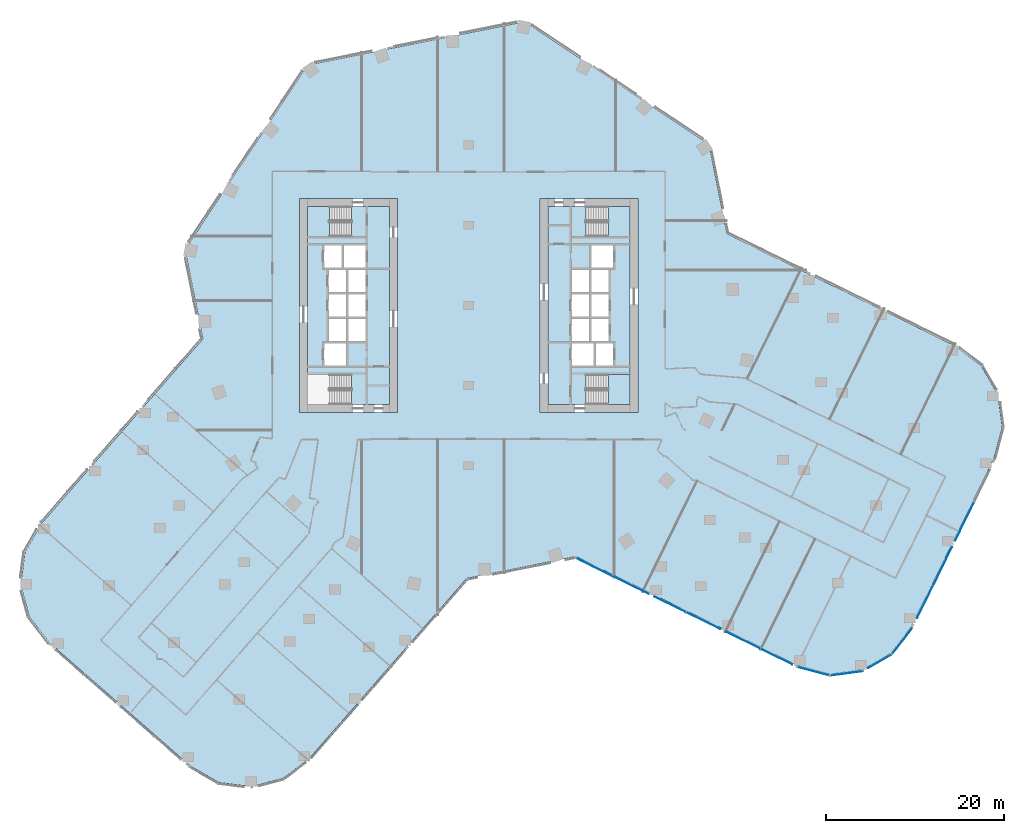
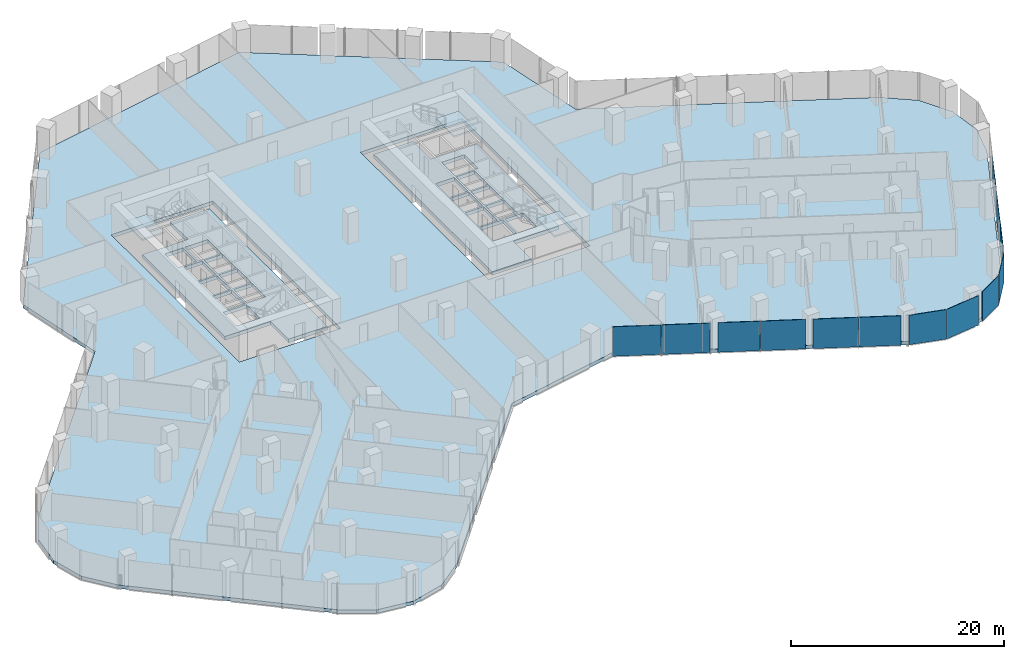
# One storey, part 21 of 38: 13 plates, 6 slabs, 9 elements without a shape of their own.
"""IFC4 building model written with IfcOpenShell, lengths in metres."""

from ifc_helpers import new_model, si_unit, direction, frame, origin, origin_2d, place, context, subcontext, project, spatial, polyline, rectangle, outline, extrude, material, layer, layer_set, type_object, element, aggregate, save


model = new_model("IFC4")

# Units and contexts
model_context = context("Model", 3, precision=1e-05, world=origin(), true_north=direction((0.0, 1.0)))
body_context = subcontext(model_context, "Body", "Model", "MODEL_VIEW")
ifc_project = project(units=[si_unit("LENGTHUNIT", "METRE"), si_unit("AREAUNIT", "SQUARE_METRE"), si_unit("VOLUMEUNIT", "CUBIC_METRE"), si_unit("PLANEANGLEUNIT", "RADIAN"), si_unit("MASSUNIT", "GRAM", prefix="KILO")], contexts=[model_context])

# Site, building, storey
site_placement = place(None, origin())
site = spatial("IfcSite", under=ifc_project, at=site_placement, CompositionType="ELEMENT")
building_placement = place(site_placement, origin())
building = spatial("IfcBuilding", under=site, at=building_placement, Name="Orlundy Tower", CompositionType="ELEMENT")
storey_placement = place(building_placement, frame((0.0, 0.0, 62.300048828125)))
storey = spatial("IfcBuildingStorey", under=building, at=storey_placement, Name="L14", CompositionType="ELEMENT", Elevation=62.300048828125)

# Curtain wall, plates
ifc_material_1 = material(Name="Aluminium bronze anodised", Category="aluminium")
curtain_wall_type = type_object("IfcCurtainWallType", Name="CW1 wall", PredefinedType="NOTDEFINED", material=ifc_material_1)
curtain_wall_1_placement = place(storey_placement, origin())
curtain_wall_1 = element("IfcCurtainWall", 1, at=curtain_wall_1_placement, inside=storey, type_object=curtain_wall_type, Name="CW1 run 00", PredefinedType="NOTDEFINED")
ifc_material_2 = material(Name="Tinted glass", Category="glass")
ifc_layer_1 = layer(ifc_material_2, 0.031982421875)
ifc_layer_set_1 = layer_set([ifc_layer_1], Name="CW1 glass panel 32")
plate_type = type_object("IfcPlateType", Name="CW1 glass panel 32", PredefinedType="CURTAIN_PANEL", material=ifc_layer_set_1)
plate_1_placement = place(storey_placement, frame((34.528076171875, -39.4306640625, -0.280029296875), z_axis=(0.0, 0.0, 1.0), x_axis=(-0.897522339484, 0.440968989984, 0.0)))
plate_1 = element("IfcPlate", 2, at=plate_1_placement, type_object=plate_type, Name="CW1 panel", PredefinedType="CURTAIN_PANEL", context=body_context, shape_type="SweptSolid", body=[
    extrude(rectangle(XDim=3.966552734375, YDim=0.031982421875, at=origin_2d()), origin(), (0.0, 0.0, 1.0), 3.3798828125),
])
plate_2_placement = place(storey_placement, frame((30.803955078125, -37.60107421875, -0.280029296875), z_axis=(0.0, 0.0, 1.0), x_axis=(-0.897522339484, 0.440968989984, 0.0)))
plate_2 = element("IfcPlate", 3, at=plate_2_placement, type_object=plate_type, Name="CW1 panel", PredefinedType="CURTAIN_PANEL", context=body_context, shape_type="SweptSolid", body=[
    extrude(rectangle(XDim=4.23193359375, YDim=0.031982421875, at=origin_2d()), origin(), (0.0, 0.0, 1.0), 3.3798828125),
])
plate_3_placement = place(storey_placement, frame((26.348388671875, -35.411865234375, -0.280029296875), z_axis=(0.0, 0.0, 1.0), x_axis=(-0.897522339484, 0.440968989984, 0.0)))
plate_3 = element("IfcPlate", 4, at=plate_3_placement, type_object=plate_type, Name="CW1 panel", PredefinedType="CURTAIN_PANEL", context=body_context, shape_type="SweptSolid", body=[
    extrude(rectangle(XDim=4.26220703125, YDim=0.031982421875, at=origin_2d()), origin(), (0.0, 0.0, 1.0), 3.3798828125),
])
plate_4_placement = place(storey_placement, frame((22.623779296875, -33.58203125, -0.280029296875), z_axis=(0.0, 0.0, 1.0), x_axis=(-0.897522339484, 0.440968989984, 0.0)))
plate_4 = element("IfcPlate", 5, at=plate_4_placement, type_object=plate_type, Name="CW1 panel", PredefinedType="CURTAIN_PANEL", context=body_context, shape_type="SweptSolid", body=[
    extrude(rectangle(XDim=3.937255859375, YDim=0.031982421875, at=origin_2d()), origin(), (0.0, 0.0, 1.0), 3.3798828125),
])
plate_5_placement = place(storey_placement, frame((18.168212890625, -31.392822265625, -0.280029296875), z_axis=(0.0, 0.0, 1.0), x_axis=(-0.897522339484, 0.440968989984, 0.0)))
plate_5 = element("IfcPlate", 6, at=plate_5_placement, type_object=plate_type, Name="CW1 panel", PredefinedType="CURTAIN_PANEL", context=body_context, shape_type="SweptSolid", body=[
    extrude(rectangle(XDim=4.556640625, YDim=0.031982421875, at=origin_2d()), origin(), (0.0, 0.0, 1.0), 3.3798828125),
])
plate_6_placement = place(storey_placement, frame((14.03662109375, -29.363037109375, -0.280029296875), z_axis=(0.0, 0.0, 1.0), x_axis=(-0.897522339484, 0.440968989984, 0.0)))
plate_6 = element("IfcPlate", 7, at=plate_6_placement, type_object=plate_type, Name="CW1 panel", PredefinedType="CURTAIN_PANEL", context=body_context, shape_type="SweptSolid", body=[
    extrude(rectangle(XDim=4.550048828125, YDim=0.031982421875, at=origin_2d()), origin(), (0.0, 0.0, 1.0), 3.3798828125),
])
aggregate(curtain_wall_1, [plate_1, plate_2, plate_3, plate_4, plate_5, plate_6])

curtain_wall_2_placement = place(storey_placement, origin())
curtain_wall_2 = element("IfcCurtainWall", 8, at=curtain_wall_2_placement, inside=storey, type_object=curtain_wall_type, Name="CW1 run 023", PredefinedType="NOTDEFINED")
plate_7_placement = place(storey_placement, frame((55.680908203125, -24.239990234375, -0.280029296875), z_axis=(0.0, 0.0, 1.0), x_axis=(-0.441012235503, -0.897501090883, 0.0)))
plate_7 = element("IfcPlate", 9, at=plate_7_placement, type_object=plate_type, Name="CW1 panel", PredefinedType="CURTAIN_PANEL", context=body_context, shape_type="SweptSolid", body=[
    extrude(rectangle(XDim=4.852294921875, YDim=0.031982421875, at=origin_2d()), origin(), (0.0, 0.0, 1.0), 3.3798828125),
])
plate_8_placement = place(storey_placement, frame((53.193115234375, -29.302978515625, -0.280029296875), z_axis=(0.0, 0.0, 1.0), x_axis=(-0.441012235503, -0.897501090883, 0.0)))
plate_8 = element("IfcPlate", 10, at=plate_8_placement, type_object=plate_type, Name="CW1 panel", PredefinedType="CURTAIN_PANEL", context=body_context, shape_type="SweptSolid", body=[
    extrude(rectangle(XDim=4.764404296875, YDim=0.031982421875, at=origin_2d()), origin(), (0.0, 0.0, 1.0), 3.3798828125),
])
plate_9_placement = place(storey_placement, frame((51.227294921875, -33.3037109375, -0.280029296875), z_axis=(0.0, 0.0, 1.0), x_axis=(-0.441012235503, -0.897501090883, 0.0)))
plate_9 = element("IfcPlate", 11, at=plate_9_placement, type_object=plate_type, Name="CW1 panel", PredefinedType="CURTAIN_PANEL", context=body_context, shape_type="SweptSolid", body=[
    extrude(rectangle(XDim=4.05078125, YDim=0.031982421875, at=origin_2d()), origin(), (0.0, 0.0, 1.0), 3.3798828125),
])
aggregate(curtain_wall_2, [plate_7, plate_8, plate_9])

# Curtain wall, plate
curtain_wall_3_placement = place(storey_placement, origin())
curtain_wall_3 = element("IfcCurtainWall", 12, at=curtain_wall_3_placement, inside=storey, type_object=curtain_wall_type, Name="CW1 run 024", PredefinedType="NOTDEFINED")
plate_10_placement = place(storey_placement, frame((48.66064453125, -37.691162109375, -0.280029296875), z_axis=(0.0, 0.0, 1.0), x_axis=(-0.607570269729, -0.794265929863, 0.0)))
plate_10 = element("IfcPlate", 13, at=plate_10_placement, type_object=plate_type, Name="CW1 panel", PredefinedType="CURTAIN_PANEL", context=body_context, shape_type="SweptSolid", body=[
    extrude(rectangle(XDim=3.730224609375, YDim=0.031982421875, at=origin_2d()), origin(), (0.0, 0.0, 1.0), 3.3798828125),
])
aggregate(curtain_wall_3, [plate_10])

curtain_wall_4_placement = place(storey_placement, origin())
curtain_wall_4 = element("IfcCurtainWall", 14, at=curtain_wall_4_placement, inside=storey, type_object=curtain_wall_type, Name="CW1 run 025", PredefinedType="NOTDEFINED")
plate_11_placement = place(storey_placement, frame((46.19677734375, -39.943603515625, -0.280029296875), z_axis=(0.0, 0.0, 1.0), x_axis=(-0.865272308879, -0.501302135928, 0.0)))
plate_11 = element("IfcPlate", 15, at=plate_11_placement, type_object=plate_type, Name="CW1 panel", PredefinedType="CURTAIN_PANEL", context=body_context, shape_type="SweptSolid", body=[
    extrude(rectangle(XDim=3.075927734375, YDim=0.031982421875, at=origin_2d()), origin(), (0.0, 0.0, 1.0), 3.3798828125),
])
aggregate(curtain_wall_4, [plate_11])

curtain_wall_5_placement = place(storey_placement, origin())
curtain_wall_5 = element("IfcCurtainWall", 16, at=curtain_wall_5_placement, inside=storey, type_object=curtain_wall_type, Name="CW1 run 026", PredefinedType="NOTDEFINED")
plate_12_placement = place(storey_placement, frame((42.39404296875, -41.3125, -0.280029296875), z_axis=(0.0, 0.0, 1.0), x_axis=(-0.991227900682, -0.132163720098, 0.0)))
plate_12 = element("IfcPlate", 17, at=plate_12_placement, type_object=plate_type, Name="CW1 panel", PredefinedType="CURTAIN_PANEL", context=body_context, shape_type="SweptSolid", body=[
    extrude(rectangle(XDim=3.772705078125, YDim=0.031982421875, at=origin_2d()), origin(), (0.0, 0.0, 1.0), 3.3798828125),
])
aggregate(curtain_wall_5, [plate_12])

curtain_wall_6_placement = place(storey_placement, origin())
curtain_wall_6 = element("IfcCurtainWall", 18, at=curtain_wall_6_placement, inside=storey, type_object=curtain_wall_type, Name="CW1 run 027", PredefinedType="NOTDEFINED")
plate_13_placement = place(storey_placement, frame((38.763916015625, -41.092529296875, -0.280029296875), z_axis=(0.0, 0.0, 1.0), x_axis=(-0.966230461093, 0.25767944438, 0.0)))
plate_13 = element("IfcPlate", 19, at=plate_13_placement, type_object=plate_type, Name="CW1 panel", PredefinedType="CURTAIN_PANEL", context=body_context, shape_type="SweptSolid", body=[
    extrude(rectangle(XDim=3.6435546875, YDim=0.031982421875, at=origin_2d()), origin(), (0.0, 0.0, 1.0), 3.3798828125),
])
aggregate(curtain_wall_6, [plate_13])

# Slabs
ifc_material_3 = material(Name="Concrete C50/60", Category="concrete")
ifc_layer_2 = layer(ifc_material_3, 0.409912109375)
ifc_layer_set_2 = layer_set([ifc_layer_2], Name="Core Floor Slab 410")
slab_type_1 = type_object("IfcSlabType", Name="Core Floor Slab 410", PredefinedType="FLOOR", material=ifc_layer_set_2)
slab_1_placement = place(storey_placement, frame((0.0, 0.0, -0.41015625)))
element("IfcSlab", 20, at=slab_1_placement, inside=storey, type_object=slab_type_1, Name="Core floor W13", PredefinedType="FLOOR", context=body_context, shape_type="SweptSolid", body=[
    extrude(outline(polyline([(-13.14501953125, 7.75), (-13.14501953125, 11.10009765625), (-8.89990234375, 11.10009765625), (-8.89990234375, -11.10009765625), (-13.14501953125, -11.10009765625), (-13.14501953125, -7.75), (-18.10009765625, -7.75), (-18.10009765625, 7.75), (-13.14501953125, 7.75)]), holes=[polyline([(-16.239990234375, -6.77490234375), (-13.739990234375, -6.77490234375), (-13.739990234375, -4.22509765625), (-16.239990234375, -4.22509765625), (-16.239990234375, -6.77490234375)]), polyline([(-13.5400390625, -1.47509765625), (-13.5400390625, -4.02490234375), (-11.5400390625, -4.02490234375), (-11.5400390625, -1.47509765625), (-13.5400390625, -1.47509765625)]), polyline([(-13.739990234375, -1.47509765625), (-15.739990234375, -1.47509765625), (-15.739990234375, -4.02490234375), (-13.739990234375, -4.02490234375), (-13.739990234375, -1.47509765625)]), polyline([(-11.5400390625, -1.27490234375), (-11.5400390625, 1.27490234375), (-13.5400390625, 1.27490234375), (-13.5400390625, -1.27490234375), (-11.5400390625, -1.27490234375)]), polyline([(-15.739990234375, -1.27490234375), (-13.739990234375, -1.27490234375), (-13.739990234375, 1.27490234375), (-15.739990234375, 1.27490234375), (-15.739990234375, -1.27490234375)]), polyline([(-13.5400390625, 4.02490234375), (-13.5400390625, 1.47509765625), (-11.5400390625, 1.47509765625), (-11.5400390625, 4.02490234375), (-13.5400390625, 4.02490234375)]), polyline([(-13.739990234375, 4.02490234375), (-15.739990234375, 4.02490234375), (-15.739990234375, 1.47509765625), (-13.739990234375, 1.47509765625), (-13.739990234375, 4.02490234375)]), polyline([(-11.5400390625, 4.22509765625), (-11.5400390625, 6.77490234375), (-14.0400390625, 6.77490234375), (-14.0400390625, 4.22509765625), (-11.5400390625, 4.22509765625)]), polyline([(-16.239990234375, 4.22509765625), (-14.239990234375, 4.22509765625), (-14.239990234375, 6.77490234375), (-16.239990234375, 6.77490234375), (-16.239990234375, 4.22509765625)])]), origin(), (0.0, 0.0, 1.0), 0.41015625),
])
slab_2_placement = place(storey_placement, frame((0.0, 0.0, -0.41015625)))
element("IfcSlab", 21, at=slab_2_placement, inside=storey, type_object=slab_type_1, Name="Core floor E13", PredefinedType="FLOOR", context=body_context, shape_type="SweptSolid", body=[
    extrude(outline(polyline([(13.14501953125, -7.75), (13.14501953125, -11.10009765625), (8.89990234375, -11.10009765625), (8.89990234375, 11.10009765625), (13.14501953125, 11.10009765625), (13.14501953125, 7.75), (18.10009765625, 7.75), (18.10009765625, -7.75), (13.14501953125, -7.75)]), holes=[polyline([(16.239990234375, 6.77490234375), (13.739990234375, 6.77490234375), (13.739990234375, 4.22509765625), (16.239990234375, 4.22509765625), (16.239990234375, 6.77490234375)]), polyline([(13.5400390625, 1.47509765625), (13.5400390625, 4.02490234375), (11.5400390625, 4.02490234375), (11.5400390625, 1.47509765625), (13.5400390625, 1.47509765625)]), polyline([(13.739990234375, 1.47509765625), (15.739990234375, 1.47509765625), (15.739990234375, 4.02490234375), (13.739990234375, 4.02490234375), (13.739990234375, 1.47509765625)]), polyline([(11.5400390625, 1.27490234375), (11.5400390625, -1.27490234375), (13.5400390625, -1.27490234375), (13.5400390625, 1.27490234375), (11.5400390625, 1.27490234375)]), polyline([(15.739990234375, 1.27490234375), (13.739990234375, 1.27490234375), (13.739990234375, -1.27490234375), (15.739990234375, -1.27490234375), (15.739990234375, 1.27490234375)]), polyline([(13.5400390625, -4.02490234375), (13.5400390625, -1.47509765625), (11.5400390625, -1.47509765625), (11.5400390625, -4.02490234375), (13.5400390625, -4.02490234375)]), polyline([(13.739990234375, -4.02490234375), (15.739990234375, -4.02490234375), (15.739990234375, -1.47509765625), (13.739990234375, -1.47509765625), (13.739990234375, -4.02490234375)]), polyline([(11.5400390625, -4.22509765625), (11.5400390625, -6.77490234375), (14.0400390625, -6.77490234375), (14.0400390625, -4.22509765625), (11.5400390625, -4.22509765625)]), polyline([(16.239990234375, -4.22509765625), (14.239990234375, -4.22509765625), (14.239990234375, -6.77490234375), (16.239990234375, -6.77490234375), (16.239990234375, -4.22509765625)])]), origin(), (0.0, 0.0, 1.0), 0.41015625),
])

# Stair, slab
ifc_material_4 = material(Name="Concrete C50/60", Category="concrete")
stair_type = type_object("IfcStairType", Name="Exit Stair 20 risers", PredefinedType="HALF_TURN_STAIR", material=ifc_material_4)
stair_1_placement = place(storey_placement, origin())
stair_1 = element("IfcStair", 22, at=stair_1_placement, inside=storey, type_object=stair_type, Name="L14 Exit Stair ST-W1", PredefinedType="HALF_TURN_STAIR")
ifc_material_5 = material(Name="Concrete C50/60", Category="concrete")
ifc_layer_3 = layer(ifc_material_5, 0.199951171875)
ifc_layer_set_3 = layer_set([ifc_layer_3], Name="Exit Stair Landing")
slab_type_2 = type_object("IfcSlabType", Name="Exit Stair Landing", PredefinedType="LANDING", material=ifc_layer_set_3)
slab_3_placement = place(storey_placement, frame((0.0, 0.0, 1.550048828125)))
slab_3 = element("IfcSlab", 23, at=slab_3_placement, type_object=slab_type_2, Name="ST-W1 landing 1", PredefinedType="LANDING", context=body_context, shape_type="SweptSolid", body=[
    extrude(outline(polyline([(-15.659912109375, 11.10009765625), (-18.10009765625, 11.10009765625), (-18.10009765625, 7.75), (-15.659912109375, 7.75), (-15.659912109375, 11.10009765625)])), origin(), (0.0, 0.0, 1.0), 0.199951171875),
])
aggregate(stair_1, [slab_3])

stair_2_placement = place(storey_placement, origin())
stair_2 = element("IfcStair", 24, at=stair_2_placement, inside=storey, type_object=stair_type, Name="L14 Exit Stair ST-E1", PredefinedType="HALF_TURN_STAIR")
slab_4_placement = place(storey_placement, frame((0.0, 0.0, 1.550048828125)))
slab_4 = element("IfcSlab", 25, at=slab_4_placement, type_object=slab_type_2, Name="ST-E1 landing 1", PredefinedType="LANDING", context=body_context, shape_type="SweptSolid", body=[
    extrude(outline(polyline([(15.659912109375, -11.10009765625), (18.10009765625, -11.10009765625), (18.10009765625, -7.75), (15.659912109375, -7.75), (15.659912109375, -11.10009765625)])), origin(), (0.0, 0.0, 1.0), 0.199951171875),
])
aggregate(stair_2, [slab_4])

stair_3_placement = place(storey_placement, origin())
stair_3 = element("IfcStair", 26, at=stair_3_placement, inside=storey, type_object=stair_type, Name="L14 Exit Stair ST-E2", PredefinedType="HALF_TURN_STAIR")
slab_5_placement = place(storey_placement, frame((0.0, 0.0, 1.550048828125)))
slab_5 = element("IfcSlab", 27, at=slab_5_placement, type_object=slab_type_2, Name="ST-E2 landing 1", PredefinedType="LANDING", context=body_context, shape_type="SweptSolid", body=[
    extrude(outline(polyline([(15.659912109375, 7.75), (18.10009765625, 7.75), (18.10009765625, 11.10009765625), (15.659912109375, 11.10009765625), (15.659912109375, 7.75)])), origin(), (0.0, 0.0, 1.0), 0.199951171875),
])
aggregate(stair_3, [slab_5])

# Slab
ifc_material_6 = material(Name="Concrete C45/55", Category="concrete")
ifc_layer_4 = layer(ifc_material_6, 0.39990234375)
ifc_layer_set_4 = layer_set([ifc_layer_4], Name="FLOOR SLAB THICK 400 C45/55")
slab_type_3 = type_object("IfcSlabType", Name="FLOOR SLAB THICK 400 C45/55", PredefinedType="FLOOR", material=ifc_layer_set_4)
slab_6_placement = place(storey_placement, frame((0.0, 0.0, -0.400146484375)))
element("IfcSlab", 28, at=slab_6_placement, inside=storey, type_object=slab_type_3, Name="Floor slab L14", PredefinedType="FLOOR", context=body_context, shape_type="SweptSolid", body=[
    extrude(outline(polyline([(12.01708984375, -28.18798828125), (-0.22607421875, -30.64208984375), (-17.85693359375, -50.804931640625), (-20.7939453125, -53.06591796875), (-24.373046875, -54.030029296875), (-28.049072265625, -53.552001953125), (-31.261962890625, -51.702880859375), (-47.070068359375, -37.8798828125), (-49.3310546875, -34.94189453125), (-50.2958984375, -31.363037109375), (-49.81689453125, -27.68798828125), (-47.968994140625, -24.47509765625), (-29.844970703125, -3.7490234375), (-31.85693359375, 6.2890625), (-18.080078125, 26.972900390625), (6.2890625, 31.85693359375), (26.972900390625, 18.080078125), (28.985107421875, 8.0419921875), (54.593017578125, -4.5400390625), (57.537109375, -6.7919921875), (59.39501953125, -10.0), (59.884033203125, -13.674072265625), (58.929931640625, -17.256103515625), (49.6689453125, -36.10302734375), (47.4169921875, -39.047119140625), (44.2099609375, -40.905029296875), (40.534912109375, -41.39501953125), (36.9541015625, -40.43994140625), (12.01708984375, -28.18798828125)]), holes=[polyline([(-8.0, -12.0), (-8.0, 12.0), (-19.0, 12.0), (-19.0, -12.0), (-8.0, -12.0)]), polyline([(19.0, -12.0), (19.0, 12.0), (8.0, 12.0), (8.0, -12.0), (19.0, -12.0)])]), origin(), (0.0, 0.0, 1.0), 0.400146484375),
])

save(model, "model.ifc")
